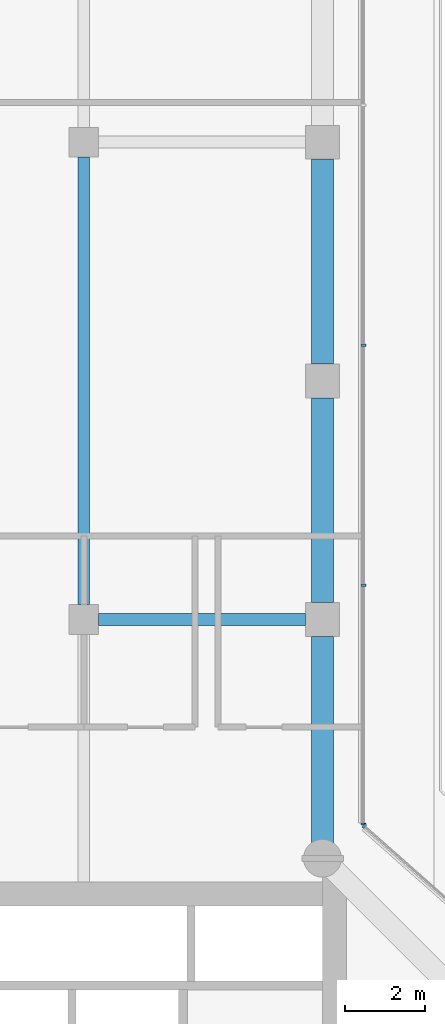
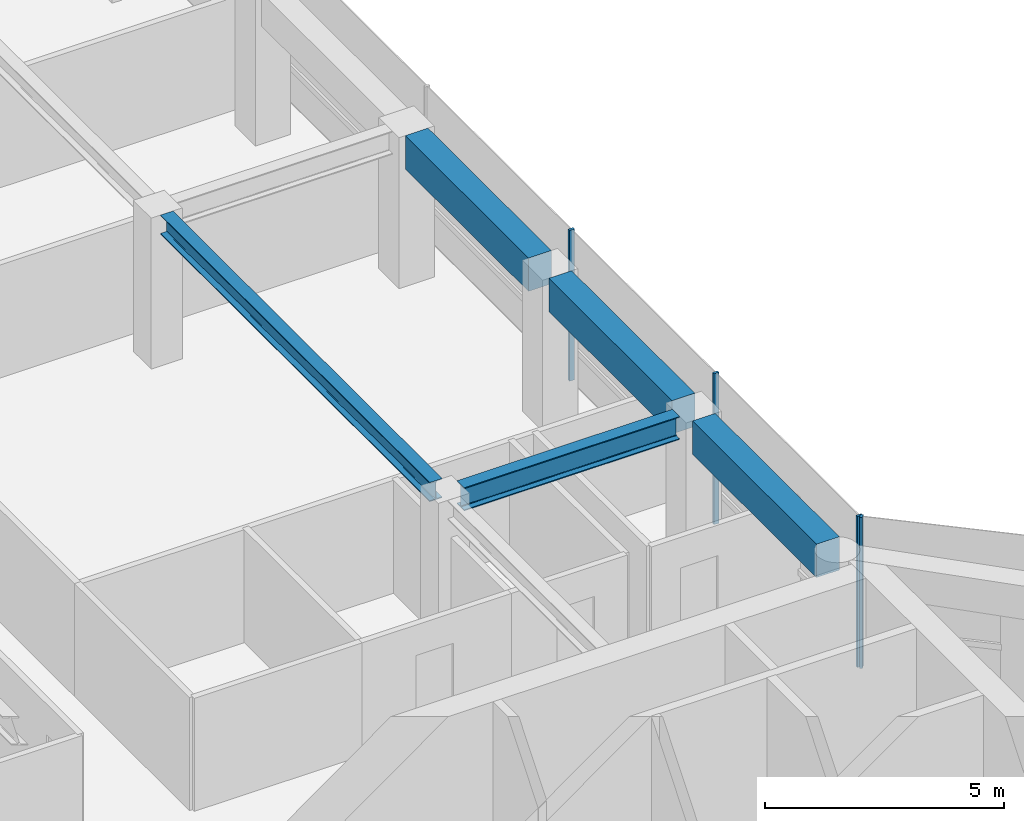
# One storey, part 12 of 21: 5 beams, 4 members, 2 elements without a shape of their own.
"""IFC4 building model written with IfcOpenShell, lengths in metres."""

from ifc_helpers import new_model, si_unit, direction, frame, origin, origin_2d, place, context, subcontext, project, spatial, rectangle, i_section, extrude, material, layer, layer_set, material_profile, profile_set, type_object, element, aggregate, save


model = new_model("IFC4")

# Units and contexts
model_context = context("Model", 3, precision=1e-05, world=origin(), true_north=direction((0.0, 1.0)))
body_context = subcontext(model_context, "Body", "Model", "MODEL_VIEW")
ifc_project = project(units=[si_unit("LENGTHUNIT", "METRE"), si_unit("AREAUNIT", "SQUARE_METRE"), si_unit("VOLUMEUNIT", "CUBIC_METRE"), si_unit("PLANEANGLEUNIT", "RADIAN"), si_unit("MASSUNIT", "GRAM", prefix="KILO")], contexts=[model_context])

# Site, building, storey
site_placement = place(None, origin())
site = spatial("IfcSite", under=ifc_project, at=site_placement, CompositionType="ELEMENT")
building_placement = place(site_placement, origin())
building = spatial("IfcBuilding", under=site, at=building_placement, Name="Welwitschia Terrace Campus", CompositionType="ELEMENT")
storey_placement = place(building_placement, frame((0.0, 0.0, 184.39990234375)))
storey = spatial("IfcBuildingStorey", under=building, at=storey_placement, Name="L41", CompositionType="ELEMENT", Elevation=184.39990234375)

# Beam
ifc_material_1 = material(Name="Steel S355", Category="steel")
ifc_material_profile_1 = material_profile(ifc_material_1, i_section(OverallWidth=0.300048828125, OverallDepth=0.489990234375, WebThickness=0.011962890625, FlangeThickness=0.02294921875, FilletRadius=0.027099609375, at=origin_2d()))
ifc_profile_set_1 = profile_set([ifc_material_profile_1], Name="Steel S355")
beam_type_1 = type_object("IfcBeamType", Name="Interior girder HE 500 A", PredefinedType="BEAM", material=ifc_profile_set_1)
beam_1_placement = place(storey_placement, frame((18.0, 32.37548828125, 3.60498046875), z_axis=(0.0, 1.0, 0.0), x_axis=(-1.0, 0.0, 0.0)))
element("IfcBeam", 1, at=beam_1_placement, inside=storey, type_object=beam_type_1, Name="Girder GB4", PredefinedType="BEAM", context=body_context, shape_type="SweptSolid", body=[
    extrude(i_section(OverallWidth=0.300048828125, OverallDepth=0.489990234375, WebThickness=0.011962890625, FlangeThickness=0.02294921875, FilletRadius=0.027099609375, at=origin_2d()), origin(), (0.0, 0.0, 1.0), 11.2490234375),
])

# Curtain wall, member
ifc_material_2 = material(Name="Bronze anodised aluminium", Category="aluminium")
ifc_layer = layer(ifc_material_2, 0.1201171875)
ifc_layer_set = layer_set([ifc_layer], Name="Bronze anodised aluminium")
curtain_wall_type = type_object("IfcCurtainWallType", Name="Curtain wall CW2 tower 6000", PredefinedType="NOTDEFINED", material=ifc_layer_set)
curtain_wall_1_placement = place(storey_placement, origin())
curtain_wall_1 = element("IfcCurtainWall", 2, at=curtain_wall_1_placement, inside=storey, type_object=curtain_wall_type, Name="CW L41.6.0", PredefinedType="NOTDEFINED")
ifc_material_3 = material(Name="Bronze anodised aluminium", Category="aluminium")
ifc_material_profile_2 = material_profile(ifc_material_3, rectangle(XDim=0.1201171875, YDim=0.06005859375, at=origin_2d()))
ifc_profile_set_2 = profile_set([ifc_material_profile_2], Name="Bronze anodised aluminium")
member_type = type_object("IfcMemberType", Name="Mullion 60x120", PredefinedType="MULLION", material=ifc_profile_set_2)
member_1_placement = place(storey_placement, frame((25.052490234375, 26.81298828125, 0.0), z_axis=(0.0, 0.0, 1.0), x_axis=(-0.662620048216, -0.748955720789, 0.0)))
member_1 = element("IfcMember", 3, at=member_1_placement, type_object=member_type, Name="Mullion L41.6.0.1", PredefinedType="MULLION", context=body_context, shape_type="SweptSolid", body=[
    extrude(rectangle(XDim=0.1201171875, YDim=0.06005859375, at=origin_2d()), origin(), (0.0, 0.0, 1.0), 3.85009765625),
])
aggregate(curtain_wall_1, [member_1])

# Curtain wall, members
curtain_wall_2_placement = place(storey_placement, origin())
curtain_wall_2 = element("IfcCurtainWall", 4, at=curtain_wall_2_placement, inside=storey, type_object=curtain_wall_type, Name="CW L41.7.0", PredefinedType="NOTDEFINED")
member_2_placement = place(storey_placement, frame((25.030029296875, 26.86279296875, 0.0), z_axis=(0.0, 0.0, 1.0), x_axis=(-1.0, 0.0, 0.0)))
member_2 = element("IfcMember", 5, at=member_2_placement, type_object=member_type, Name="Mullion L41.7.0.0", PredefinedType="MULLION", context=body_context, shape_type="SweptSolid", body=[
    extrude(rectangle(XDim=0.1201171875, YDim=0.06005859375, at=origin_2d()), origin(), (0.0, 0.0, 1.0), 3.85009765625),
])
member_3_placement = place(storey_placement, frame((25.030029296875, 32.864990234375, 0.0), z_axis=(0.0, 0.0, 1.0), x_axis=(-1.0, 0.0, 0.0)))
member_3 = element("IfcMember", 6, at=member_3_placement, type_object=member_type, Name="Mullion L41.7.0.1", PredefinedType="MULLION", context=body_context, shape_type="SweptSolid", body=[
    extrude(rectangle(XDim=0.1201171875, YDim=0.06005859375, at=origin_2d()), origin(), (0.0, 0.0, 1.0), 3.85009765625),
])
member_4_placement = place(storey_placement, frame((25.030029296875, 38.89697265625, 0.0), z_axis=(0.0, 0.0, 1.0), x_axis=(-1.0, 0.0, 0.0)))
member_4 = element("IfcMember", 7, at=member_4_placement, type_object=member_type, Name="Mullion L41.7.0.2", PredefinedType="MULLION", context=body_context, shape_type="SweptSolid", body=[
    extrude(rectangle(XDim=0.1201171875, YDim=0.06005859375, at=origin_2d()), origin(), (0.0, 0.0, 1.0), 3.85009765625),
])
aggregate(curtain_wall_2, [member_2, member_3, member_4])

# Beams
ifc_material_4 = material(Name="Steel S355", Category="steel")
ifc_material_profile_3 = material_profile(ifc_material_4, i_section(OverallWidth=0.300048828125, OverallDepth=0.590087890625, WebThickness=0.012939453125, FlangeThickness=0.02490234375, FilletRadius=0.027099609375, at=origin_2d()))
ifc_profile_set_3 = profile_set([ifc_material_profile_3], Name="Steel S355")
beam_type_2 = type_object("IfcBeamType", Name="Primary beam HE 600 A", PredefinedType="BEAM", material=ifc_profile_set_3)
beam_2_placement = place(storey_placement, frame((23.574462890625, 32.0, 3.55517578125), z_axis=(-1.0, 0.0, 0.0), x_axis=(0.0, -1.0, 0.0)))
element("IfcBeam", 8, at=beam_2_placement, inside=storey, type_object=beam_type_2, Name="Primary beam PB4", PredefinedType="BEAM", context=body_context, shape_type="SweptSolid", body=[
    extrude(i_section(OverallWidth=0.300048828125, OverallDepth=0.590087890625, WebThickness=0.012939453125, FlangeThickness=0.02490234375, FilletRadius=0.027099609375, at=origin_2d()), origin(), (0.0, 0.0, 1.0), 5.198974609375),
])
ifc_material_5 = material(Name="Concrete C50/60", Category="concrete")
ifc_material_profile_4 = material_profile(ifc_material_5, rectangle(XDim=0.550048828125, YDim=0.85009765625, at=origin_2d()))
ifc_profile_set_4 = profile_set([ifc_material_profile_4], Name="Concrete C50/60")
beam_type_3 = type_object("IfcBeamType", Name="Ring spandrel 550x850", PredefinedType="SPANDREL", material=ifc_profile_set_4)
beam_3_placement = place(storey_placement, frame((24.0, 26.387939453125, 3.425048828125), z_axis=(0.0, 1.0, 0.0), x_axis=(-1.0, 0.0, 0.0)))
element("IfcBeam", 9, at=beam_3_placement, inside=storey, type_object=beam_type_3, Name="Spandrel SP3", PredefinedType="SPANDREL", context=body_context, shape_type="SweptSolid", body=[
    extrude(rectangle(XDim=0.550048828125, YDim=0.85009765625, at=origin_2d()), origin(), (0.0, 0.0, 1.0), 5.1865234375),
])
for number, where, z_axis, x_axis, name in (
    (10, (24.0, 32.425537109375, 3.425048828125), (0.0, 1.0, 0.0), (-1.0, 0.0, 0.0), "Spandrel SP3"),
    (11, (24.0, 38.425537109375, 3.425048828125), (0.0, 1.0, 0.0), (-1.0, 0.0, 0.0), "Spandrel SP3"),
):
    element("IfcBeam", number, at=place(storey_placement, frame(where, z_axis=z_axis, x_axis=x_axis)), inside=storey, type_object=beam_type_3, Name=name, PredefinedType="SPANDREL", context=body_context, shape_type="SweptSolid", body=[
        extrude(rectangle(XDim=0.550048828125, YDim=0.85009765625, at=origin_2d()), origin(), (0.0, 0.0, 1.0), 5.14892578125),
    ])

save(model, "model.ifc")
